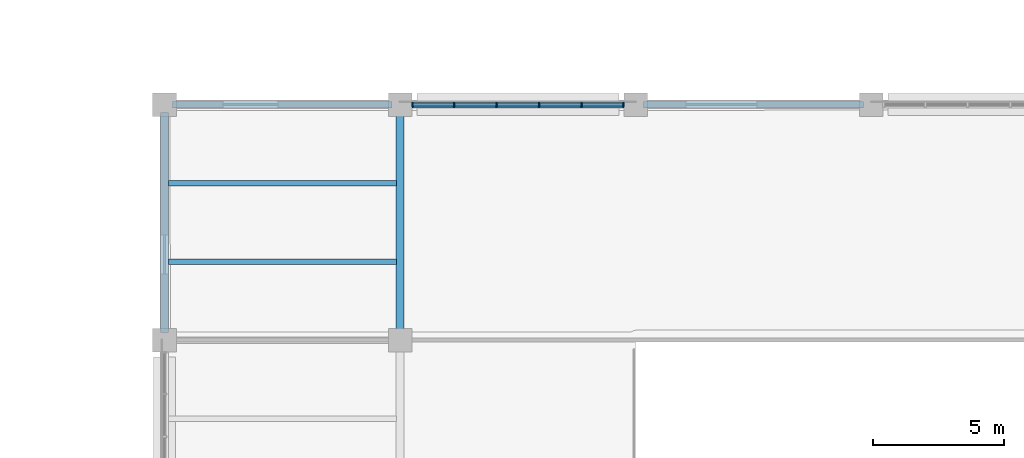
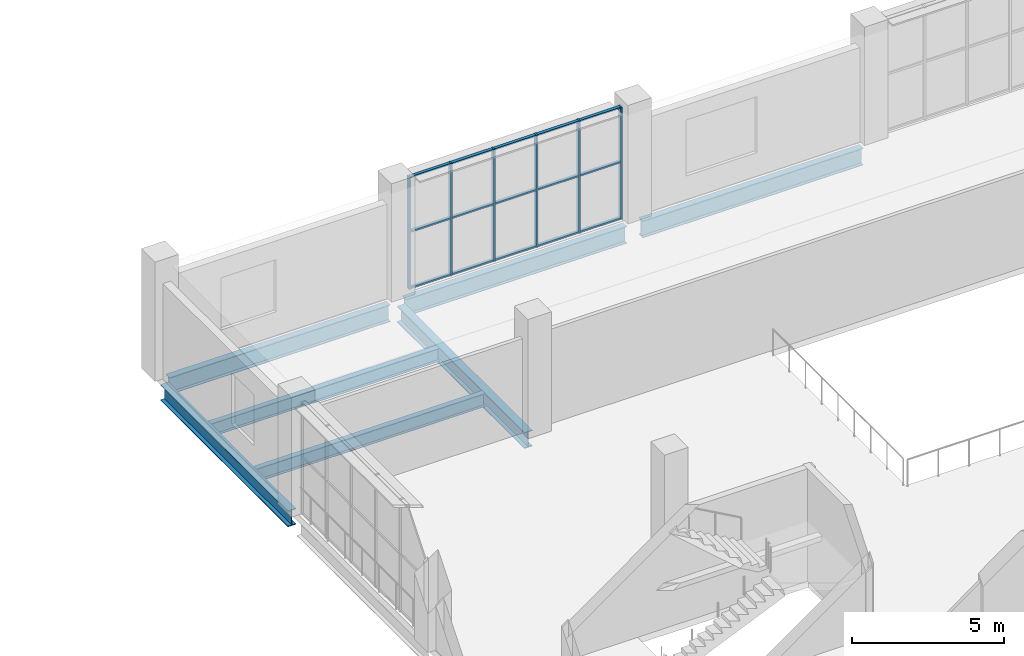
# One storey, part 4 of 183: 21 members, 7 beams, 1 element without a shape of its own.
"""IFC4 building model written with IfcOpenShell, lengths in metres."""

from ifc_helpers import new_model, si_unit, direction, frame, origin, origin_2d, place, context, subcontext, project, spatial, rectangle, i_section, extrude, material, material_profile, profile_set, type_object, element, aggregate, save


model = new_model("IFC4")

# Units and contexts
model_context = context("Model", 3, precision=1e-05, world=origin(), true_north=direction((0.0, 1.0)))
body_context = subcontext(model_context, "Body", "Model", "MODEL_VIEW")
ifc_project = project(units=[si_unit("LENGTHUNIT", "METRE"), si_unit("AREAUNIT", "SQUARE_METRE"), si_unit("VOLUMEUNIT", "CUBIC_METRE"), si_unit("PLANEANGLEUNIT", "RADIAN"), si_unit("MASSUNIT", "GRAM", prefix="KILO")], contexts=[model_context])

# Site, building, storey
site_placement = place(None, origin())
site = spatial("IfcSite", under=ifc_project, at=site_placement, CompositionType="ELEMENT")
building_placement = place(site_placement, origin())
building = spatial("IfcBuilding", under=site, at=building_placement, Name="Zevraka Park Crest Stadium", CompositionType="ELEMENT")
storey_placement = place(building_placement, frame((0.0, 0.0, 5.39990234375)))
storey = spatial("IfcBuildingStorey", under=building, at=storey_placement, Name="L01", CompositionType="ELEMENT", Elevation=5.39990234375)

# Beams
ifc_material_1 = material(Name="Steel S355", Category="steel")
ifc_material_profile_1 = material_profile(ifc_material_1, i_section(OverallWidth=0.253662109375, OverallDepth=0.68359375, WebThickness=0.012451171875, FlangeThickness=0.01904296875, at=origin_2d()), Name="UKB 686x254x140")
ifc_profile_set_1 = profile_set([ifc_material_profile_1], Name="Steel S355")
beam_type_1 = type_object("IfcBeamType", Name="BG05", PredefinedType="BEAM", material=ifc_profile_set_1)
for number, where, z_axis, x_axis, name in (
    (1, (9.300048828125, 27.0, -0.649658203125), (1.0, 0.0, 0.0), (0.0, 1.0, 0.0), "Wing Girder BG05 L01-23/D"),
    (2, (18.300048828125, 27.0, -0.649658203125), (1.0, 0.0, 0.0), (0.0, 1.0, 0.0), "Wing Girder BG05 L01-34/D"),
    (3, (27.300048828125, 27.0, -0.649658203125), (1.0, 0.0, 0.0), (0.0, 1.0, 0.0), "Wing Girder BG05 L01-45/D"),
):
    element("IfcBeam", number, at=place(storey_placement, frame(where, z_axis=z_axis, x_axis=x_axis)), inside=storey, type_object=beam_type_1, Name=name, PredefinedType="BEAM", context=body_context, shape_type="SweptSolid", body=[
        extrude(i_section(OverallWidth=0.253662109375, OverallDepth=0.68359375, WebThickness=0.012451171875, FlangeThickness=0.01904296875, at=origin_2d()), origin(), (0.0, 0.0, 1.0), 8.39990234375),
    ])
ifc_material_2 = material(Name="Steel S355", Category="steel")
ifc_material_profile_2 = material_profile(ifc_material_2, i_section(OverallWidth=0.300048828125, OverallDepth=0.64990234375, WebThickness=0.01611328125, FlangeThickness=0.031005859375, at=origin_2d()), Name="HEB 650")
ifc_profile_set_2 = profile_set([ifc_material_profile_2], Name="Steel S355")
beam_type_2 = type_object("IfcBeamType", Name="BG07", PredefinedType="BEAM", material=ifc_profile_set_2)
for number, where, z_axis, x_axis, name in (
    (4, (9.0, 18.300048828125, -0.6328125), (0.0, 1.0, 0.0), (-1.0, 0.0, 0.0), "Wing Girder BG07 L01-2/CD"),
    (5, (18.0, 18.300048828125, -0.6328125), (0.0, 1.0, 0.0), (-1.0, 0.0, 0.0), "Wing Girder BG07 L01-3/CD"),
):
    element("IfcBeam", number, at=place(storey_placement, frame(where, z_axis=z_axis, x_axis=x_axis)), inside=storey, type_object=beam_type_2, Name=name, PredefinedType="BEAM", context=body_context, shape_type="SweptSolid", body=[
        extrude(i_section(OverallWidth=0.300048828125, OverallDepth=0.64990234375, WebThickness=0.01611328125, FlangeThickness=0.031005859375, at=origin_2d()), origin(), (0.0, 0.0, 1.0), 8.39990234375),
    ])

# Curtain wall, members
ifc_material_3 = material(Name="Anodised architectural aluminium and laminated safety glass", Category="aluminium")
curtain_wall_type = type_object("IfcCurtainWallType", Name="CW28", PredefinedType="NOTDEFINED", material=ifc_material_3)
curtain_wall_placement = place(storey_placement, origin())
curtain_wall = element("IfcCurtainWall", 6, at=curtain_wall_placement, inside=storey, type_object=curtain_wall_type, Name="Wing Curtain Wall CW28 L01-SW-N-2", PredefinedType="NOTDEFINED")
ifc_material_4 = material(Name="Anodised architectural aluminium", Category="aluminium")
ifc_material_profile_3 = material_profile(ifc_material_4, rectangle(XDim=0.159912109375, YDim=0.06005859375, at=origin_2d()), Name="ALU MULLION 160x60")
ifc_profile_set_3 = profile_set([ifc_material_profile_3], Name="Anodised architectural aluminium")
member_type_1 = type_object("IfcMemberType", Name="CM01", PredefinedType="MULLION", material=ifc_profile_set_3)
member_1_placement = place(storey_placement, frame((18.469970703125, 27.0, 0.0), z_axis=(0.0, 0.0, 1.0), x_axis=(0.0, 1.0, 0.0)))
member_1 = element("IfcMember", 7, at=member_1_placement, type_object=member_type_1, Name="CW28 mullion 1", PredefinedType="MULLION", context=body_context, shape_type="SweptSolid", body=[
    extrude(rectangle(XDim=0.159912109375, YDim=0.06005859375, at=origin_2d()), origin(), (0.0, 0.0, 1.0), 4.52001953125),
])
member_2_placement = place(storey_placement, frame((20.06396484375, 27.0, 0.0), z_axis=(0.0, 0.0, 1.0), x_axis=(0.0, 1.0, 0.0)))
member_2 = element("IfcMember", 8, at=member_2_placement, type_object=member_type_1, Name="CW28 mullion 2", PredefinedType="MULLION", context=body_context, shape_type="SweptSolid", body=[
    extrude(rectangle(XDim=0.159912109375, YDim=0.06005859375, at=origin_2d()), origin(), (0.0, 0.0, 1.0), 4.52001953125),
])
member_3_placement = place(storey_placement, frame((21.68798828125, 27.0, 0.0), z_axis=(0.0, 0.0, 1.0), x_axis=(0.0, 1.0, 0.0)))
member_3 = element("IfcMember", 9, at=member_3_placement, type_object=member_type_1, Name="CW28 mullion 3", PredefinedType="MULLION", context=body_context, shape_type="SweptSolid", body=[
    extrude(rectangle(XDim=0.159912109375, YDim=0.06005859375, at=origin_2d()), origin(), (0.0, 0.0, 1.0), 4.52001953125),
])
member_4_placement = place(storey_placement, frame((23.31201171875, 27.0, 0.0), z_axis=(0.0, 0.0, 1.0), x_axis=(0.0, 1.0, 0.0)))
member_4 = element("IfcMember", 10, at=member_4_placement, type_object=member_type_1, Name="CW28 mullion 4", PredefinedType="MULLION", context=body_context, shape_type="SweptSolid", body=[
    extrude(rectangle(XDim=0.159912109375, YDim=0.06005859375, at=origin_2d()), origin(), (0.0, 0.0, 1.0), 4.52001953125),
])
member_5_placement = place(storey_placement, frame((24.93603515625, 27.0, 0.0), z_axis=(0.0, 0.0, 1.0), x_axis=(0.0, 1.0, 0.0)))
member_5 = element("IfcMember", 11, at=member_5_placement, type_object=member_type_1, Name="CW28 mullion 5", PredefinedType="MULLION", context=body_context, shape_type="SweptSolid", body=[
    extrude(rectangle(XDim=0.159912109375, YDim=0.06005859375, at=origin_2d()), origin(), (0.0, 0.0, 1.0), 4.52001953125),
])
member_6_placement = place(storey_placement, frame((26.530029296875, 27.0, 0.0), z_axis=(0.0, 0.0, 1.0), x_axis=(0.0, 1.0, 0.0)))
member_6 = element("IfcMember", 12, at=member_6_placement, type_object=member_type_1, Name="CW28 mullion 6", PredefinedType="MULLION", context=body_context, shape_type="SweptSolid", body=[
    extrude(rectangle(XDim=0.159912109375, YDim=0.06005859375, at=origin_2d()), origin(), (0.0, 0.0, 1.0), 4.52001953125),
])
ifc_material_5 = material(Name="Anodised architectural aluminium", Category="aluminium")
ifc_material_profile_4 = material_profile(ifc_material_5, rectangle(XDim=0.1201171875, YDim=0.06005859375, at=origin_2d()), Name="ALU TRANSOM 120x60")
ifc_profile_set_4 = profile_set([ifc_material_profile_4], Name="Anodised architectural aluminium")
member_type_2 = type_object("IfcMemberType", Name="CT01", PredefinedType="USERDEFINED", material=ifc_profile_set_4)
member_7_placement = place(storey_placement, frame((18.5, 27.0, 0.030029296875), z_axis=(1.0, 0.0, 0.0), x_axis=(0.0, 1.0, 0.0)))
member_7 = element("IfcMember", 13, at=member_7_placement, type_object=member_type_2, Name="CW28 transom 1.1", ObjectType="TRANSOM", PredefinedType="USERDEFINED", context=body_context, shape_type="SweptSolid", body=[
    extrude(rectangle(XDim=0.1201171875, YDim=0.06005859375, at=origin_2d()), origin(), (0.0, 0.0, 1.0), 1.533935546875),
])
member_8_placement = place(storey_placement, frame((18.5, 27.0, 2.300048828125), z_axis=(1.0, 0.0, 0.0), x_axis=(0.0, 1.0, 0.0)))
member_8 = element("IfcMember", 14, at=member_8_placement, type_object=member_type_2, Name="CW28 transom 1.2", ObjectType="TRANSOM", PredefinedType="USERDEFINED", context=body_context, shape_type="SweptSolid", body=[
    extrude(rectangle(XDim=0.1201171875, YDim=0.06005859375, at=origin_2d()), origin(), (0.0, 0.0, 1.0), 1.533935546875),
])
member_9_placement = place(storey_placement, frame((18.5, 27.0, 4.489990234375), z_axis=(1.0, 0.0, 0.0), x_axis=(0.0, 1.0, 0.0)))
member_9 = element("IfcMember", 15, at=member_9_placement, type_object=member_type_2, Name="CW28 transom 1.3", ObjectType="TRANSOM", PredefinedType="USERDEFINED", context=body_context, shape_type="SweptSolid", body=[
    extrude(rectangle(XDim=0.1201171875, YDim=0.06005859375, at=origin_2d()), origin(), (0.0, 0.0, 1.0), 1.533935546875),
])
member_10_placement = place(storey_placement, frame((20.093994140625, 27.0, 0.030029296875), z_axis=(1.0, 0.0, 0.0), x_axis=(0.0, 1.0, 0.0)))
member_10 = element("IfcMember", 16, at=member_10_placement, type_object=member_type_2, Name="CW28 transom 2.1", ObjectType="TRANSOM", PredefinedType="USERDEFINED", context=body_context, shape_type="SweptSolid", body=[
    extrude(rectangle(XDim=0.1201171875, YDim=0.06005859375, at=origin_2d()), origin(), (0.0, 0.0, 1.0), 1.56396484375),
])
member_11_placement = place(storey_placement, frame((20.093994140625, 27.0, 2.300048828125), z_axis=(1.0, 0.0, 0.0), x_axis=(0.0, 1.0, 0.0)))
member_11 = element("IfcMember", 17, at=member_11_placement, type_object=member_type_2, Name="CW28 transom 2.2", ObjectType="TRANSOM", PredefinedType="USERDEFINED", context=body_context, shape_type="SweptSolid", body=[
    extrude(rectangle(XDim=0.1201171875, YDim=0.06005859375, at=origin_2d()), origin(), (0.0, 0.0, 1.0), 1.56396484375),
])
member_12_placement = place(storey_placement, frame((20.093994140625, 27.0, 4.489990234375), z_axis=(1.0, 0.0, 0.0), x_axis=(0.0, 1.0, 0.0)))
member_12 = element("IfcMember", 18, at=member_12_placement, type_object=member_type_2, Name="CW28 transom 2.3", ObjectType="TRANSOM", PredefinedType="USERDEFINED", context=body_context, shape_type="SweptSolid", body=[
    extrude(rectangle(XDim=0.1201171875, YDim=0.06005859375, at=origin_2d()), origin(), (0.0, 0.0, 1.0), 1.56396484375),
])
member_13_placement = place(storey_placement, frame((21.718017578125, 27.0, 0.030029296875), z_axis=(1.0, 0.0, 0.0), x_axis=(0.0, 1.0, 0.0)))
member_13 = element("IfcMember", 19, at=member_13_placement, type_object=member_type_2, Name="CW28 transom 3.1", ObjectType="TRANSOM", PredefinedType="USERDEFINED", context=body_context, shape_type="SweptSolid", body=[
    extrude(rectangle(XDim=0.1201171875, YDim=0.06005859375, at=origin_2d()), origin(), (0.0, 0.0, 1.0), 1.56396484375),
])
member_14_placement = place(storey_placement, frame((21.718017578125, 27.0, 2.300048828125), z_axis=(1.0, 0.0, 0.0), x_axis=(0.0, 1.0, 0.0)))
member_14 = element("IfcMember", 20, at=member_14_placement, type_object=member_type_2, Name="CW28 transom 3.2", ObjectType="TRANSOM", PredefinedType="USERDEFINED", context=body_context, shape_type="SweptSolid", body=[
    extrude(rectangle(XDim=0.1201171875, YDim=0.06005859375, at=origin_2d()), origin(), (0.0, 0.0, 1.0), 1.56396484375),
])
member_15_placement = place(storey_placement, frame((21.718017578125, 27.0, 4.489990234375), z_axis=(1.0, 0.0, 0.0), x_axis=(0.0, 1.0, 0.0)))
member_15 = element("IfcMember", 21, at=member_15_placement, type_object=member_type_2, Name="CW28 transom 3.3", ObjectType="TRANSOM", PredefinedType="USERDEFINED", context=body_context, shape_type="SweptSolid", body=[
    extrude(rectangle(XDim=0.1201171875, YDim=0.06005859375, at=origin_2d()), origin(), (0.0, 0.0, 1.0), 1.56396484375),
])
member_16_placement = place(storey_placement, frame((23.342041015625, 27.0, 0.030029296875), z_axis=(1.0, 0.0, 0.0), x_axis=(0.0, 1.0, 0.0)))
member_16 = element("IfcMember", 22, at=member_16_placement, type_object=member_type_2, Name="CW28 transom 4.1", ObjectType="TRANSOM", PredefinedType="USERDEFINED", context=body_context, shape_type="SweptSolid", body=[
    extrude(rectangle(XDim=0.1201171875, YDim=0.06005859375, at=origin_2d()), origin(), (0.0, 0.0, 1.0), 1.56396484375),
])
member_17_placement = place(storey_placement, frame((23.342041015625, 27.0, 2.300048828125), z_axis=(1.0, 0.0, 0.0), x_axis=(0.0, 1.0, 0.0)))
member_17 = element("IfcMember", 23, at=member_17_placement, type_object=member_type_2, Name="CW28 transom 4.2", ObjectType="TRANSOM", PredefinedType="USERDEFINED", context=body_context, shape_type="SweptSolid", body=[
    extrude(rectangle(XDim=0.1201171875, YDim=0.06005859375, at=origin_2d()), origin(), (0.0, 0.0, 1.0), 1.56396484375),
])
member_18_placement = place(storey_placement, frame((23.342041015625, 27.0, 4.489990234375), z_axis=(1.0, 0.0, 0.0), x_axis=(0.0, 1.0, 0.0)))
member_18 = element("IfcMember", 24, at=member_18_placement, type_object=member_type_2, Name="CW28 transom 4.3", ObjectType="TRANSOM", PredefinedType="USERDEFINED", context=body_context, shape_type="SweptSolid", body=[
    extrude(rectangle(XDim=0.1201171875, YDim=0.06005859375, at=origin_2d()), origin(), (0.0, 0.0, 1.0), 1.56396484375),
])
member_19_placement = place(storey_placement, frame((24.966064453125, 27.0, 0.030029296875), z_axis=(1.0, 0.0, 0.0), x_axis=(0.0, 1.0, 0.0)))
member_19 = element("IfcMember", 25, at=member_19_placement, type_object=member_type_2, Name="CW28 transom 5.1", ObjectType="TRANSOM", PredefinedType="USERDEFINED", context=body_context, shape_type="SweptSolid", body=[
    extrude(rectangle(XDim=0.1201171875, YDim=0.06005859375, at=origin_2d()), origin(), (0.0, 0.0, 1.0), 1.533935546875),
])
member_20_placement = place(storey_placement, frame((24.966064453125, 27.0, 2.300048828125), z_axis=(1.0, 0.0, 0.0), x_axis=(0.0, 1.0, 0.0)))
member_20 = element("IfcMember", 26, at=member_20_placement, type_object=member_type_2, Name="CW28 transom 5.2", ObjectType="TRANSOM", PredefinedType="USERDEFINED", context=body_context, shape_type="SweptSolid", body=[
    extrude(rectangle(XDim=0.1201171875, YDim=0.06005859375, at=origin_2d()), origin(), (0.0, 0.0, 1.0), 1.533935546875),
])
member_21_placement = place(storey_placement, frame((24.966064453125, 27.0, 4.489990234375), z_axis=(1.0, 0.0, 0.0), x_axis=(0.0, 1.0, 0.0)))
member_21 = element("IfcMember", 27, at=member_21_placement, type_object=member_type_2, Name="CW28 transom 5.3", ObjectType="TRANSOM", PredefinedType="USERDEFINED", context=body_context, shape_type="SweptSolid", body=[
    extrude(rectangle(XDim=0.1201171875, YDim=0.06005859375, at=origin_2d()), origin(), (0.0, 0.0, 1.0), 1.533935546875),
])
aggregate(curtain_wall, [member_1, member_2, member_3, member_4, member_5, member_6, member_7, member_8, member_9, member_10, member_11, member_12, member_13, member_14, member_15, member_16, member_17, member_18, member_19, member_20, member_21])

# Beams
ifc_material_6 = material(Name="Steel S355", Category="steel")
ifc_material_profile_5 = material_profile(ifc_material_6, i_section(OverallWidth=0.209228515625, OverallDepth=0.533203125, WebThickness=0.010009765625, FlangeThickness=0.015625, at=origin_2d()), Name="UKB 533x210x92")
ifc_profile_set_5 = profile_set([ifc_material_profile_5], Name="Steel S355")
beam_type_3 = type_object("IfcBeamType", Name="SJ05", PredefinedType="JOIST", material=ifc_profile_set_5)
for number, where, z_axis, x_axis, name in (
    (28, (9.14501953125, 21.0, -0.576416015625), (1.0, 0.0, 0.0), (0.0, 1.0, 0.0), "Wing Joist SJ05 L01-2/C-1"),
    (29, (9.14501953125, 24.0, -0.576416015625), (1.0, 0.0, 0.0), (0.0, 1.0, 0.0), "Wing Joist SJ05 L01-2/C-2"),
):
    element("IfcBeam", number, at=place(storey_placement, frame(where, z_axis=z_axis, x_axis=x_axis)), inside=storey, type_object=beam_type_3, Name=name, PredefinedType="JOIST", context=body_context, shape_type="SweptSolid", body=[
        extrude(i_section(OverallWidth=0.209228515625, OverallDepth=0.533203125, WebThickness=0.010009765625, FlangeThickness=0.015625, at=origin_2d()), origin(), (0.0, 0.0, 1.0), 8.7099609375),
    ])

save(model, "model.ifc")
